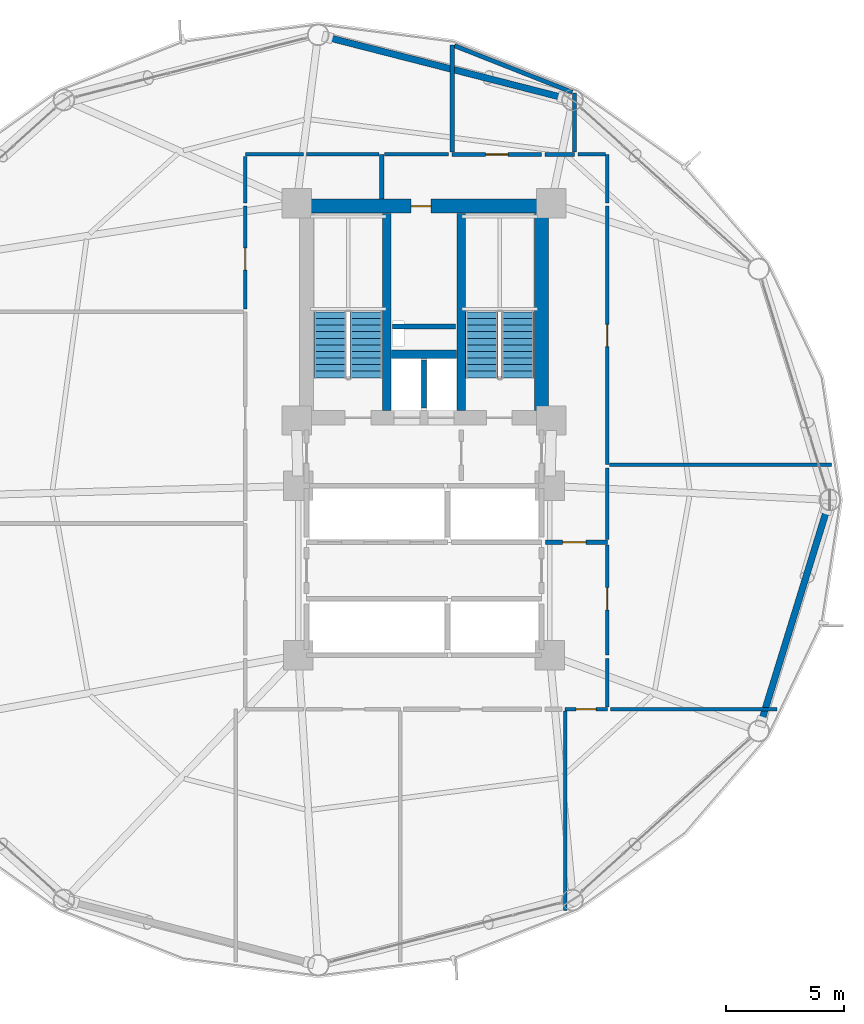
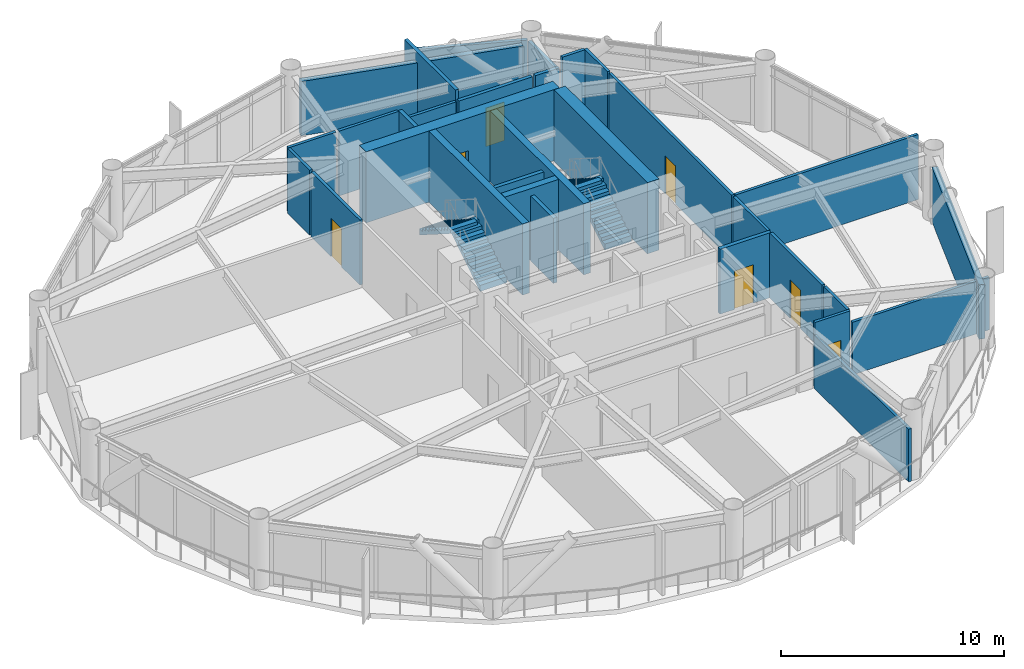
# One storey, part 21 of 25: 31 walls, 7 doors, 4 stair flights, 7 openings, 2 elements without a shape of their own.
"""IFC4 building model written with IfcOpenShell, lengths in metres."""

from ifc_helpers import new_model, si_unit, direction, frame, frame_2d, origin, place, context, subcontext, project, spatial, polyline, rectangle, outline, extrude, material, layer, layer_set, type_object, element, fill, aggregate, save


model = new_model("IFC4")

# Units and contexts
model_context = context("Model", 3, precision=1e-05, world=origin(), true_north=direction((0.0, 1.0)))
body_context = subcontext(model_context, "Body", "Model", "MODEL_VIEW")
ifc_project = project(units=[si_unit("LENGTHUNIT", "METRE"), si_unit("AREAUNIT", "SQUARE_METRE"), si_unit("VOLUMEUNIT", "CUBIC_METRE"), si_unit("PLANEANGLEUNIT", "RADIAN"), si_unit("MASSUNIT", "GRAM", prefix="KILO")], contexts=[model_context])

# Site, building, storey
site_placement = place(None, origin())
site = spatial("IfcSite", under=ifc_project, at=site_placement, CompositionType="ELEMENT")
building_placement = place(site_placement, origin())
building = spatial("IfcBuilding", under=site, at=building_placement, Name="Varnakorn Sky Granary", CompositionType="ELEMENT")
storey_placement = place(building_placement, frame((0.0, 0.0, 74.39990234375)))
storey = spatial("IfcBuildingStorey", under=building, at=storey_placement, Name="L18", CompositionType="ELEMENT", Elevation=74.39990234375)

# Walls
ifc_material_1 = material(Name="Concrete C50/60", Category="concrete")
ifc_layer_1 = layer(ifc_material_1, 0.35009765625, Name="Concrete C50/60")
ifc_layer_set_1 = layer_set([ifc_layer_1], Name="Concrete C50/60")
wall_type_1 = type_object("IfcWallType", Name="WT-CW-INT-350", PredefinedType="SHEAR", material=ifc_layer_set_1)
for number, where, z_axis, x_axis, name in (
    (1, (1.419921875, 3.81005859375, 0.0), (0.0, 0.0, 1.0), (0.0, 1.0, 0.0), "Stair ST-1 Core Wall L18"),
    (2, (4.580078125, 3.81005859375, 0.0), (0.0, 0.0, 1.0), (0.0, 1.0, 0.0), "Stair ST-2 Core Wall L18"),
):
    element("IfcWall", number, at=place(storey_placement, frame(where, z_axis=z_axis, x_axis=x_axis)), inside=storey, type_object=wall_type_1, Name=name, PredefinedType="SHEAR", context=body_context, shape_type="SweptSolid", body=[
        extrude(rectangle(XDim=8.3798828125, YDim=0.35009765625, at=frame_2d((4.18994140625, 0.0))), origin(), (0.0, 0.0, 1.0), 3.89208984375),
    ])
wall_1_placement = place(storey_placement, frame((1.610107421875, 6.199951171875, 0.0), z_axis=(0.0, 0.0, 1.0), x_axis=(1.0, 0.0, 0.0)))
element("IfcWall", 3, at=wall_1_placement, inside=storey, type_object=wall_type_1, Name="Core Lift Shaft Cross Wall L18", PredefinedType="SHEAR", context=body_context, shape_type="SweptSolid", body=[
    extrude(rectangle(XDim=2.77978515625, YDim=0.35009765625, at=frame_2d((1.389892578125, 0.0))), origin(), (0.0, 0.0, 1.0), 3.89208984375),
])

# Wall, opening, door
ifc_material_2 = material(Name="Concrete C60/75", Category="concrete")
ifc_layer_2 = layer(ifc_material_2, 0.60009765625, Name="Concrete C60/75")
ifc_layer_set_2 = layer_set([ifc_layer_2], Name="Concrete C60/75")
wall_type_2 = type_object("IfcWallType", Name="WT-CW-SHEAR-600", PredefinedType="SHEAR", material=ifc_layer_set_2)
wall_2_placement = place(storey_placement, frame((-2.0, 12.5, 0.0), z_axis=(0.0, 0.0, 1.0), x_axis=(1.0, 0.0, 0.0)))
wall_2 = element("IfcWall", 4, at=wall_2_placement, inside=storey, type_object=wall_type_2, Name="Core North Shear Wall L18", PredefinedType="SHEAR", context=body_context, shape_type="SweptSolid", body=[
    extrude(rectangle(XDim=10.0, YDim=0.60009765625, at=frame_2d((5.0, 0.0))), origin(), (0.0, 0.0, 1.0), 3.89208984375),
])
opening_1_placement = place(wall_2_placement, frame((4.449951171875, 0.0, 0.0)))
opening_1 = element("IfcOpeningElement", 5, at=opening_1_placement, cuts=wall_2, Name="Opening FD-60N", PredefinedType="OPENING", context=body_context, shape_type="SweptSolid", body=[
    extrude(rectangle(XDim=0.85009765625, YDim=2.10009765625, at=frame_2d((0.425048828125, 1.050048828125))), frame((0.0, 0.31005859375, 0.0), z_axis=(0.0, -1.0, 0.0), x_axis=(1.0, 0.0, 0.0)), (0.0, 0.0, 1.0), 0.6201171875),
])
ifc_material_3 = material(Name="Acoustic Timber Fire Leaf", Category="wood")
door_type_1 = type_object("IfcDoorType", Name="DR-FD60-850", OperationType="NOTDEFINED", PredefinedType="DOOR", material=ifc_material_3)
door_1_placement = place(opening_1_placement, origin())
door_1 = element("IfcDoor", 6, at=door_1_placement, inside=storey, type_object=door_type_1, Name="Core North Service Door L18", OperationType="SINGLE_SWING_RIGHT", OverallHeight=2.10009765625, OverallWidth=0.85009765625, PredefinedType="DOOR", context=body_context, shape_type="SweptSolid", body=[
    extrude(rectangle(XDim=0.85009765625, YDim=2.10009765625, at=frame_2d((0.425048828125, 1.050048828125))), frame((0.0, 0.02490234375, 0.0), z_axis=(0.0, -1.0, 0.0), x_axis=(1.0, 0.0, 0.0)), (0.0, 0.0, 1.0), 0.050048828125),
])
fill(opening_1, door_1)

# Walls
wall_3_placement = place(storey_placement, frame((8.0, 3.81005859375, 0.0), z_axis=(0.0, 0.0, 1.0), x_axis=(0.0, 1.0, 0.0)))
element("IfcWall", 7, at=wall_3_placement, inside=storey, type_object=wall_type_2, Name="Core East Shear Wall L18", PredefinedType="SHEAR", context=body_context, shape_type="SweptSolid", body=[
    extrude(rectangle(XDim=8.3798828125, YDim=0.60009765625, at=frame_2d((4.18994140625, 0.0))), origin(), (0.0, 0.0, 1.0), 3.89208984375),
])
ifc_material_4 = material(Name="Precast concrete C40/50", Category="concrete")
ifc_layer_3 = layer(ifc_material_4, 0.280029296875, Name="Precast concrete C40/50")
ifc_layer_set_3 = layer_set([ifc_layer_3], Name="Precast concrete C40/50")
wall_type_3 = type_object("IfcWallType", Name="WT-EW-CRN-280", PredefinedType="SOLIDWALL", material=ifc_layer_set_3)
wall_4_placement = place(storey_placement, frame((-1.100830078125, 19.678955078125, 0.0), z_axis=(0.0, 0.0, 1.0), x_axis=(0.968780019366, -0.24792191125, 0.0)))
element("IfcWall", 8, at=wall_4_placement, inside=storey, type_object=wall_type_3, Name="Agritech Insulated Precast Facade Wall L18-P03", PredefinedType="SOLIDWALL", context=body_context, shape_type="SweptSolid", body=[
    extrude(rectangle(XDim=10.337890625, YDim=0.280029296875, at=frame_2d((5.1689453125, 0.0))), origin(), (0.0, 0.0, 1.0), 2.97021484375),
])
wall_5_placement = place(storey_placement, frame((20.140380859375, -0.393798828125, 0.0), z_axis=(0.0, 0.0, 1.0), x_axis=(-0.294972891191, -0.955505621889, 0.0)))
element("IfcWall", 9, at=wall_5_placement, inside=storey, type_object=wall_type_3, Name="Agritech Insulated Precast Facade Wall L18-P12", PredefinedType="SOLIDWALL", context=body_context, shape_type="SweptSolid", body=[
    extrude(rectangle(XDim=9.4560546875, YDim=0.280029296875, at=frame_2d((4.72802734375, 0.0))), origin(), (0.0, 0.0, 1.0), 2.97021484375),
])

# Wall, opening, door
ifc_material_5 = material(Name="Autoclaved Aerated Concrete Blockwork", Category="masonry")
ifc_layer_4 = layer(ifc_material_5, 0.199951171875, Name="Autoclaved Aerated Concrete Blockwork")
ifc_layer_set_4 = layer_set([ifc_layer_4], Name="Autoclaved Aerated Concrete Blockwork")
wall_type_4 = type_object("IfcWallType", Name="WT-FIRE-200", PredefinedType="MOVABLE", material=ifc_layer_set_4)
wall_6_placement = place(storey_placement, frame((8.159912109375, -1.800048828125, 0.0), z_axis=(0.0, 0.0, 1.0), x_axis=(1.0, 0.0, 0.0)))
wall_6 = element("IfcWall", 10, at=wall_6_placement, inside=storey, type_object=wall_type_4, Name="Interior Partition Wall L18-021", PredefinedType="MOVABLE", context=body_context, shape_type="SweptSolid", body=[
    extrude(rectangle(XDim=2.64013671875, YDim=0.199951171875, at=frame_2d((1.320068359375, 0.0))), origin(), (0.0, 0.0, 1.0), 3.550048828125),
])
opening_2_placement = place(wall_6_placement, frame((0.739990234375, 0.0, 0.0)))
opening_2 = element("IfcOpeningElement", 11, at=opening_2_placement, cuts=wall_6, Name="Opening FD-60", PredefinedType="OPENING", context=body_context, shape_type="SweptSolid", body=[
    extrude(rectangle(XDim=1.0, YDim=2.10009765625, at=frame_2d((0.5, 1.050048828125))), frame((0.0, 0.10986328125, 0.0), z_axis=(0.0, -1.0, 0.0), x_axis=(1.0, 0.0, 0.0)), (0.0, 0.0, 1.0), 0.219970703125),
])
door_type_2 = type_object("IfcDoorType", Name="DR-FD60-1000", OperationType="NOTDEFINED", PredefinedType="DOOR", material=ifc_material_3)
door_2_placement = place(opening_2_placement, origin())
door_2 = element("IfcDoor", 12, at=door_2_placement, inside=storey, type_object=door_type_2, Name="Interior Door L18-021-1", OperationType="SINGLE_SWING_RIGHT", OverallHeight=2.10009765625, OverallWidth=1.0, PredefinedType="DOOR", context=body_context, shape_type="SweptSolid", body=[
    extrude(rectangle(XDim=1.0, YDim=2.10009765625, at=frame_2d((0.5, 1.050048828125))), frame((0.0, 0.02490234375, 0.0), z_axis=(0.0, -1.0, 0.0), x_axis=(1.0, 0.0, 0.0)), (0.0, 0.0, 1.0), 0.050048828125),
])
fill(opening_2, door_2)

# Wall
wall_7_placement = place(storey_placement, frame((1.199951171875, 14.699951171875, 0.0), z_axis=(0.0, 0.0, 1.0), x_axis=(0.0, -1.0, 0.0)))
element("IfcWall", 13, at=wall_7_placement, inside=storey, type_object=wall_type_4, Name="Interior Partition Wall L18-032", PredefinedType="MOVABLE", context=body_context, shape_type="SweptSolid", body=[
    extrude(rectangle(XDim=1.889892578125, YDim=0.199951171875, at=frame_2d((0.94482421875, 0.0))), origin(), (0.0, 0.0, 1.0), 3.550048828125),
])

# Wall, opening, door
ifc_material_6 = material(Name="Gypsum Plasterboard on Steel Stud", Category="steel")
ifc_layer_5 = layer(ifc_material_6, 0.14990234375, Name="Gypsum Plasterboard on Steel Stud")
ifc_layer_set_5 = layer_set([ifc_layer_5], Name="Gypsum Plasterboard on Steel Stud")
wall_type_5 = type_object("IfcWallType", Name="WT-PART-150", PredefinedType="PARTITIONING", material=ifc_layer_set_5)
wall_8_placement = place(storey_placement, frame((9.0, -8.89990234375, 0.0), z_axis=(0.0, 0.0, 1.0), x_axis=(1.0, 0.0, 0.0)))
wall_8 = element("IfcWall", 14, at=wall_8_placement, inside=storey, type_object=wall_type_5, Name="Interior Partition Wall L18-025", PredefinedType="PARTITIONING", context=body_context, shape_type="SweptSolid", body=[
    extrude(rectangle(XDim=1.800048828125, YDim=0.14990234375, at=frame_2d((0.89990234375, 0.0))), origin(), (0.0, 0.0, 1.0), 3.550048828125),
])
opening_3_placement = place(wall_8_placement, frame((0.47509765625, 0.0, 0.0)))
opening_3 = element("IfcOpeningElement", 15, at=opening_3_placement, cuts=wall_8, Name="Opening ID-85", PredefinedType="OPENING", context=body_context, shape_type="SweptSolid", body=[
    extrude(rectangle(XDim=0.85009765625, YDim=2.10009765625, at=frame_2d((0.425048828125, 1.050048828125))), frame((0.0, 0.0849609375, 0.0), z_axis=(0.0, -1.0, 0.0), x_axis=(1.0, 0.0, 0.0)), (0.0, 0.0, 1.0), 0.169921875),
])
ifc_material_7 = material(Name="Solid-Core Teak Veneer Leaf", Category="timber")
door_type_3 = type_object("IfcDoorType", Name="DR-INT-850", OperationType="NOTDEFINED", PredefinedType="DOOR", material=ifc_material_7)
door_3_placement = place(opening_3_placement, origin())
door_3 = element("IfcDoor", 16, at=door_3_placement, inside=storey, type_object=door_type_3, Name="Interior Door L18-025-1", OperationType="SINGLE_SWING_RIGHT", OverallHeight=2.10009765625, OverallWidth=0.85009765625, PredefinedType="DOOR", context=body_context, shape_type="SweptSolid", body=[
    extrude(rectangle(XDim=0.85009765625, YDim=2.10009765625, at=frame_2d((0.425048828125, 1.050048828125))), frame((0.0, 0.02490234375, 0.0), z_axis=(0.0, -1.0, 0.0), x_axis=(1.0, 0.0, 0.0)), (0.0, 0.0, 1.0), 0.050048828125),
])
fill(opening_3, door_3)

wall_9_placement = place(storey_placement, frame((-4.60009765625, 12.5, 0.0), z_axis=(0.0, 0.0, 1.0), x_axis=(0.0, -1.0, 0.0)))
wall_9 = element("IfcWall", 17, at=wall_9_placement, inside=storey, type_object=wall_type_5, Name="Interior Partition Wall L18-028", PredefinedType="PARTITIONING", context=body_context, shape_type="SweptSolid", body=[
    extrude(rectangle(XDim=4.364990234375, YDim=0.14990234375, at=frame_2d((2.1826171875, 0.0))), origin(), (0.0, 0.0, 1.0), 3.550048828125),
])
opening_4_placement = place(wall_9_placement, frame((1.77490234375, 0.0, 0.0)))
opening_4 = element("IfcOpeningElement", 18, at=opening_4_placement, cuts=wall_9, Name="Opening ID-95", PredefinedType="OPENING", context=body_context, shape_type="SweptSolid", body=[
    extrude(rectangle(XDim=0.949951171875, YDim=2.10009765625, at=frame_2d((0.47509765625, 1.050048828125))), frame((0.0, 0.0849609375, 0.0), z_axis=(0.0, -1.0, 0.0), x_axis=(1.0, 0.0, 0.0)), (0.0, 0.0, 1.0), 0.169921875),
])
door_type_4 = type_object("IfcDoorType", Name="DR-INT-950", OperationType="NOTDEFINED", PredefinedType="DOOR", material=ifc_material_7)
door_4_placement = place(opening_4_placement, origin())
door_4 = element("IfcDoor", 19, at=door_4_placement, inside=storey, type_object=door_type_4, Name="Interior Door L18-028-1", OperationType="SINGLE_SWING_LEFT", OverallHeight=2.10009765625, OverallWidth=0.949951171875, PredefinedType="DOOR", context=body_context, shape_type="SweptSolid", body=[
    extrude(rectangle(XDim=0.949951171875, YDim=2.10009765625, at=frame_2d((0.47509765625, 1.050048828125))), frame((0.0, 0.02490234375, 0.0), z_axis=(0.0, -1.0, 0.0), x_axis=(1.0, 0.0, 0.0)), (0.0, 0.0, 1.0), 0.050048828125),
])
fill(opening_4, door_4)

wall_10_placement = place(storey_placement, frame((10.800048828125, -6.60009765625, 0.0), z_axis=(0.0, 0.0, 1.0), x_axis=(0.0, 1.0, 0.0)))
wall_10 = element("IfcWall", 20, at=wall_10_placement, inside=storey, type_object=wall_type_5, Name="Interior Partition Wall L18-029", PredefinedType="PARTITIONING", context=body_context, shape_type="SweptSolid", body=[
    extrude(rectangle(XDim=4.690185546875, YDim=0.14990234375, at=frame_2d((2.34521484375, 0.0))), origin(), (0.0, 0.0, 1.0), 3.550048828125),
])
opening_5_placement = place(wall_10_placement, frame((1.925048828125, 0.0, 0.0)))
opening_5 = element("IfcOpeningElement", 21, at=opening_5_placement, cuts=wall_10, Name="Opening ID-95", PredefinedType="OPENING", context=body_context, shape_type="SweptSolid", body=[
    extrude(rectangle(XDim=0.949951171875, YDim=2.10009765625, at=frame_2d((0.47509765625, 1.050048828125))), frame((0.0, 0.0849609375, 0.0), z_axis=(0.0, -1.0, 0.0), x_axis=(1.0, 0.0, 0.0)), (0.0, 0.0, 1.0), 0.169921875),
])
door_5_placement = place(opening_5_placement, origin())
door_5 = element("IfcDoor", 22, at=door_5_placement, inside=storey, type_object=door_type_4, Name="Interior Door L18-029-1", OperationType="SINGLE_SWING_RIGHT", OverallHeight=2.10009765625, OverallWidth=0.949951171875, PredefinedType="DOOR", context=body_context, shape_type="SweptSolid", body=[
    extrude(rectangle(XDim=0.949951171875, YDim=2.10009765625, at=frame_2d((0.47509765625, 1.050048828125))), frame((0.0, 0.02490234375, 0.0), z_axis=(0.0, -1.0, 0.0), x_axis=(1.0, 0.0, 0.0)), (0.0, 0.0, 1.0), 0.050048828125),
])
fill(opening_5, door_5)

wall_11_placement = place(storey_placement, frame((10.800048828125, 1.5, 0.0), z_axis=(0.0, 0.0, 1.0), x_axis=(0.0, 1.0, 0.0)))
wall_11 = element("IfcWall", 23, at=wall_11_placement, inside=storey, type_object=wall_type_5, Name="Interior Partition Wall L18-030", PredefinedType="PARTITIONING", context=body_context, shape_type="SweptSolid", body=[
    extrude(rectangle(XDim=11.0, YDim=0.14990234375, at=frame_2d((5.5, 0.0))), origin(), (0.0, 0.0, 1.0), 3.550048828125),
])
opening_6_placement = place(wall_11_placement, frame((5.02490234375, 0.0, 0.0)))
opening_6 = element("IfcOpeningElement", 24, at=opening_6_placement, cuts=wall_11, Name="Opening ID-95", PredefinedType="OPENING", context=body_context, shape_type="SweptSolid", body=[
    extrude(rectangle(XDim=0.949951171875, YDim=2.10009765625, at=frame_2d((0.47509765625, 1.050048828125))), frame((0.0, 0.0849609375, 0.0), z_axis=(0.0, -1.0, 0.0), x_axis=(1.0, 0.0, 0.0)), (0.0, 0.0, 1.0), 0.169921875),
])
door_6_placement = place(opening_6_placement, origin())
door_6 = element("IfcDoor", 25, at=door_6_placement, inside=storey, type_object=door_type_4, Name="Interior Door L18-030-1", OperationType="SINGLE_SWING_LEFT", OverallHeight=2.10009765625, OverallWidth=0.949951171875, PredefinedType="DOOR", context=body_context, shape_type="SweptSolid", body=[
    extrude(rectangle(XDim=0.949951171875, YDim=2.10009765625, at=frame_2d((0.47509765625, 1.050048828125))), frame((0.0, 0.02490234375, 0.0), z_axis=(0.0, -1.0, 0.0), x_axis=(1.0, 0.0, 0.0)), (0.0, 0.0, 1.0), 0.050048828125),
])
fill(opening_6, door_6)

# Walls
wall_12_placement = place(storey_placement, frame((9.0, -8.985107421875, 0.0), z_axis=(0.0, 0.0, 1.0), x_axis=(0.0, -1.0, 0.0)))
element("IfcWall", 26, at=wall_12_placement, inside=storey, type_object=wall_type_5, Name="Interior Partition Wall L18-038", PredefinedType="PARTITIONING", context=body_context, shape_type="SweptSolid", body=[
    extrude(rectangle(XDim=8.48193359375, YDim=0.14990234375, at=frame_2d((4.240966796875, 0.0))), origin(), (0.0, 0.0, 1.0), 2.882080078125),
])
wall_13_placement = place(storey_placement, frame((10.93505859375, -8.89990234375, 0.0), z_axis=(0.0, 0.0, 1.0), x_axis=(1.0, 0.0, 0.0)))
element("IfcWall", 27, at=wall_13_placement, inside=storey, type_object=wall_type_5, Name="Interior Partition Wall L18-039", PredefinedType="PARTITIONING", context=body_context, shape_type="SweptSolid", body=[
    extrude(rectangle(XDim=7.075927734375, YDim=0.14990234375, at=frame_2d((3.5380859375, 0.0))), origin(), (0.0, 0.0, 1.0), 2.882080078125),
])
wall_14_placement = place(storey_placement, frame((1.090087890625, 14.699951171875, 0.0), z_axis=(0.0, 0.0, 1.0), x_axis=(-1.0, 0.0, 0.0)))
element("IfcWall", 28, at=wall_14_placement, inside=storey, type_object=wall_type_5, Name="Interior Partition Wall L18-043", PredefinedType="PARTITIONING", context=body_context, shape_type="SweptSolid", body=[
    extrude(rectangle(XDim=3.090087890625, YDim=0.14990234375, at=frame_2d((1.544921875, 0.0))), origin(), (0.0, 0.0, 1.0), 3.550048828125),
])
wall_15_placement = place(storey_placement, frame((-2.135009765625, 14.699951171875, 0.0), z_axis=(0.0, 0.0, 1.0), x_axis=(-1.0, 0.0, 0.0)))
element("IfcWall", 29, at=wall_15_placement, inside=storey, type_object=wall_type_5, Name="Interior Partition Wall L18-044", PredefinedType="PARTITIONING", context=body_context, shape_type="SweptSolid", body=[
    extrude(rectangle(XDim=2.465087890625, YDim=0.14990234375, at=frame_2d((1.232421875, 0.0))), origin(), (0.0, 0.0, 1.0), 3.550048828125),
])
wall_16_placement = place(storey_placement, frame((-4.60009765625, 14.614990234375, 0.0), z_axis=(0.0, 0.0, 1.0), x_axis=(0.0, -1.0, 0.0)))
element("IfcWall", 30, at=wall_16_placement, inside=storey, type_object=wall_type_5, Name="Interior Partition Wall L18-045", PredefinedType="PARTITIONING", context=body_context, shape_type="SweptSolid", body=[
    extrude(rectangle(XDim=1.97998046875, YDim=0.14990234375, at=frame_2d((0.989990234375, 0.0))), origin(), (0.0, 0.0, 1.0), 3.550048828125),
])
wall_17_placement = place(storey_placement, frame((4.050048828125, 14.699951171875, 0.0), z_axis=(0.0, 0.0, 1.0), x_axis=(-1.0, 0.0, 0.0)))
element("IfcWall", 31, at=wall_17_placement, inside=storey, type_object=wall_type_5, Name="Interior Partition Wall L18-046", PredefinedType="PARTITIONING", context=body_context, shape_type="SweptSolid", body=[
    extrude(rectangle(XDim=2.739990234375, YDim=0.14990234375, at=frame_2d((1.3701171875, 0.0))), origin(), (0.0, 0.0, 1.0), 3.031982421875),
])
wall_18_placement = place(storey_placement, frame((10.800048828125, -8.81494140625, 0.0), z_axis=(0.0, 0.0, 1.0), x_axis=(0.0, 1.0, 0.0)))
element("IfcWall", 32, at=wall_18_placement, inside=storey, type_object=wall_type_5, Name="Interior Partition Wall L18-048", PredefinedType="PARTITIONING", context=body_context, shape_type="SweptSolid", body=[
    extrude(rectangle(XDim=2.079833984375, YDim=0.14990234375, at=frame_2d((1.0400390625, 0.0))), origin(), (0.0, 0.0, 1.0), 3.550048828125),
])
wall_19_placement = place(storey_placement, frame((10.800048828125, -1.68994140625, 0.0), z_axis=(0.0, 0.0, 1.0), x_axis=(0.0, 1.0, 0.0)))
element("IfcWall", 33, at=wall_19_placement, inside=storey, type_object=wall_type_5, Name="Interior Partition Wall L18-049", PredefinedType="PARTITIONING", context=body_context, shape_type="SweptSolid", body=[
    extrude(rectangle(XDim=3.054931640625, YDim=0.14990234375, at=frame_2d((1.52734375, 0.0))), origin(), (0.0, 0.0, 1.0), 3.550048828125),
])
wall_20_placement = place(storey_placement, frame((10.885009765625, 1.5, 0.0), z_axis=(0.0, 0.0, 1.0), x_axis=(1.0, 0.0, 0.0)))
element("IfcWall", 34, at=wall_20_placement, inside=storey, type_object=wall_type_5, Name="Interior Partition Wall L18-050", PredefinedType="PARTITIONING", context=body_context, shape_type="SweptSolid", body=[
    extrude(rectangle(XDim=9.45703125, YDim=0.14990234375, at=frame_2d((4.728515625, 0.0))), origin(), (0.0, 0.0, 1.0), 3.550048828125),
])
wall_21_placement = place(storey_placement, frame((10.800048828125, 12.635009765625, 0.0), z_axis=(0.0, 0.0, 1.0), x_axis=(0.0, 1.0, 0.0)))
element("IfcWall", 35, at=wall_21_placement, inside=storey, type_object=wall_type_5, Name="Interior Partition Wall L18-051", PredefinedType="PARTITIONING", context=body_context, shape_type="SweptSolid", body=[
    extrude(rectangle(XDim=2.06494140625, YDim=0.14990234375, at=frame_2d((1.032470703125, 0.0))), origin(), (0.0, 0.0, 1.0), 3.550048828125),
])
wall_22_placement = place(storey_placement, frame((10.715087890625, 14.699951171875, 0.0), z_axis=(0.0, 0.0, 1.0), x_axis=(-1.0, 0.0, 0.0)))
element("IfcWall", 36, at=wall_22_placement, inside=storey, type_object=wall_type_5, Name="Interior Partition Wall L18-052", PredefinedType="PARTITIONING", context=body_context, shape_type="SweptSolid", body=[
    extrude(rectangle(XDim=1.1650390625, YDim=0.14990234375, at=frame_2d((0.58251953125, 0.0))), origin(), (0.0, 0.0, 1.0), 3.550048828125),
])

# Wall, opening, door
ifc_material_8 = material(Name="Moisture-Resistant Gypsum on Stud", Category="gypsum")
ifc_layer_6 = layer(ifc_material_8, 0.179931640625, Name="Moisture-Resistant Gypsum on Stud")
ifc_layer_set_6 = layer_set([ifc_layer_6], Name="Moisture-Resistant Gypsum on Stud")
wall_type_6 = type_object("IfcWallType", Name="WT-PLUMB-180", PredefinedType="PLUMBINGWALL", material=ifc_layer_set_6)
wall_23_placement = place(storey_placement, frame((8.0, 14.699951171875, 0.0), z_axis=(0.0, 0.0, 1.0), x_axis=(-1.0, 0.0, 0.0)))
wall_23 = element("IfcWall", 37, at=wall_23_placement, inside=storey, type_object=wall_type_6, Name="Interior Partition Wall L18-022", PredefinedType="PLUMBINGWALL", context=body_context, shape_type="SweptSolid", body=[
    extrude(rectangle(XDim=3.800048828125, YDim=0.179931640625, at=frame_2d((1.89990234375, 0.0))), origin(), (0.0, 0.0, 1.0), 3.031982421875),
])
opening_7_placement = place(wall_23_placement, frame((1.425048828125, 0.0, 0.0)))
opening_7 = element("IfcOpeningElement", 38, at=opening_7_placement, cuts=wall_23, Name="Opening ID-95", PredefinedType="OPENING", context=body_context, shape_type="SweptSolid", body=[
    extrude(rectangle(XDim=0.949951171875, YDim=2.10009765625, at=frame_2d((0.47509765625, 1.050048828125))), frame((0.0, 0.10009765625, 0.0), z_axis=(0.0, -1.0, 0.0), x_axis=(1.0, 0.0, 0.0)), (0.0, 0.0, 1.0), 0.199951171875),
])
door_7_placement = place(opening_7_placement, origin())
door_7 = element("IfcDoor", 39, at=door_7_placement, inside=storey, type_object=door_type_4, Name="Interior Door L18-022-1", OperationType="SINGLE_SWING_LEFT", OverallHeight=2.10009765625, OverallWidth=0.949951171875, PredefinedType="DOOR", context=body_context, shape_type="SweptSolid", body=[
    extrude(rectangle(XDim=0.949951171875, YDim=2.10009765625, at=frame_2d((0.47509765625, 1.050048828125))), frame((0.0, 0.02490234375, 0.0), z_axis=(0.0, -1.0, 0.0), x_axis=(1.0, 0.0, 0.0)), (0.0, 0.0, 1.0), 0.050048828125),
])
fill(opening_7, door_7)

# Walls
wall_24_placement = place(storey_placement, frame((9.39990234375, 14.699951171875, 0.0), z_axis=(0.0, 0.0, 1.0), x_axis=(-1.0, 0.0, 0.0)))
element("IfcWall", 40, at=wall_24_placement, inside=storey, type_object=wall_type_6, Name="Interior Partition Wall L18-033", PredefinedType="PLUMBINGWALL", context=body_context, shape_type="SweptSolid", body=[
    extrude(rectangle(XDim=1.25, YDim=0.179931640625, at=frame_2d((0.625, 0.0))), origin(), (0.0, 0.0, 1.0), 3.031982421875),
])
wall_25_placement = place(storey_placement, frame((4.199951171875, 19.363037109375, 0.0), z_axis=(0.0, 0.0, 1.0), x_axis=(0.0, -1.0, 0.0)))
element("IfcWall", 41, at=wall_25_placement, inside=storey, type_object=wall_type_6, Name="Interior Partition Wall L18-047", PredefinedType="PLUMBINGWALL", context=body_context, shape_type="SweptSolid", body=[
    extrude(rectangle(XDim=4.56298828125, YDim=0.179931640625, at=frame_2d((2.281494140625, 0.0))), origin(), (0.0, 0.0, 1.0), 3.550048828125),
])
wall_26_placement = place(storey_placement, frame((9.39990234375, 14.800048828125, 0.0), z_axis=(0.0, 0.0, 1.0), x_axis=(0.0, 1.0, 0.0)))
element("IfcWall", 42, at=wall_26_placement, inside=storey, type_object=wall_type_6, Name="Interior Partition Wall L18-053", PredefinedType="PLUMBINGWALL", context=body_context, shape_type="SweptSolid", body=[
    extrude(rectangle(XDim=2.509033203125, YDim=0.179931640625, at=frame_2d((1.25439453125, 0.0))), origin(), (0.0, 0.0, 1.0), 2.882080078125),
])
wall_27_placement = place(storey_placement, frame((9.306884765625, 17.345947265625, 0.0), z_axis=(0.0, 0.0, 1.0), x_axis=(-0.930079887974, 0.367357321944, 0.0)))
element("IfcWall", 43, at=wall_27_placement, inside=storey, type_object=wall_type_6, Name="Interior Partition Wall L18-054", PredefinedType="PLUMBINGWALL", context=body_context, shape_type="SweptSolid", body=[
    extrude(rectangle(XDim=5.389892578125, YDim=0.179931640625, at=frame_2d((2.69482421875, 0.0))), origin(), (0.0, 0.0, 1.0), 2.982177734375),
])
ifc_layer_7 = layer(ifc_material_5, 0.199951171875, Name="Autoclaved Aerated Concrete Blockwork")
ifc_layer_set_7 = layer_set([ifc_layer_7], Name="Autoclaved Aerated Concrete Blockwork")
wall_type_7 = type_object("IfcWallType", Name="WT-SHAFT-200", PredefinedType="SOLIDWALL", material=ifc_layer_set_7)
wall_28_placement = place(storey_placement, frame((3.0, 3.919921875, 0.0), z_axis=(0.0, 0.0, 1.0), x_axis=(0.0, 1.0, 0.0)))
element("IfcWall", 44, at=wall_28_placement, inside=storey, type_object=wall_type_7, Name="Interior Partition Wall L18-001", PredefinedType="SOLIDWALL", context=body_context, shape_type="SweptSolid", body=[
    extrude(rectangle(XDim=2.030029296875, YDim=0.199951171875, at=frame_2d((1.01513671875, 0.0))), origin(), (0.0, 0.0, 1.0), 3.550048828125),
])
wall_29_placement = place(storey_placement, frame((1.64990234375, 7.3798828125, 0.0), z_axis=(0.0, 0.0, 1.0), x_axis=(1.0, 0.0, 0.0)))
element("IfcWall", 45, at=wall_29_placement, inside=storey, type_object=wall_type_7, Name="Interior Partition Wall L18-002", PredefinedType="SOLIDWALL", context=body_context, shape_type="SweptSolid", body=[
    extrude(rectangle(XDim=2.7001953125, YDim=0.199951171875, at=frame_2d((1.35009765625, 0.0))), origin(), (0.0, 0.0, 1.0), 3.550048828125),
])

# Stair, stair flights
ifc_material_9 = material(Name="Concrete C40/50", Category="concrete")
stair_type = type_object("IfcStairType", Name="ST-MAIN-ASSEMBLY", PredefinedType="HALF_TURN_STAIR", material=ifc_material_9)
stair_1_placement = place(storey_placement, origin())
stair_1 = element("IfcStair", 46, at=stair_1_placement, inside=storey, type_object=stair_type, Name="L18 Protected Exit Stair ST-1", PredefinedType="HALF_TURN_STAIR")
stair_flight_type = type_object("IfcStairFlightType", Name="ST-MAIN-FLIGHT", PredefinedType="STRAIGHT", material=ifc_material_9)
stair_flight_1_placement = place(storey_placement, frame((0.550048828125, 5.199951171875, 0.0), z_axis=(0.0, 0.0, 1.0), x_axis=(0.0, 1.0, 0.0)))
stair_flight_1 = element("IfcStairFlight", 47, at=stair_flight_1_placement, type_object=stair_flight_type, Name="ST-1 flight 1", NumberOfRisers=11, NumberOfTreads=10, PredefinedType="STRAIGHT", RiserHeight=0.177272727, TreadLength=0.28, context=body_context, shape_type="SweptSolid", body=[
    extrude(outline(polyline([(0.0, -0.14990234375), (0.0, 0.0), (0.0, 0.17724609375), (0.280029296875, 0.17724609375), (0.280029296875, 0.3544921875), (0.56005859375, 0.3544921875), (0.56005859375, 0.53173828125), (0.840087890625, 0.53173828125), (0.840087890625, 0.708984375), (1.1201171875, 0.708984375), (1.1201171875, 0.886474609375), (1.39990234375, 0.886474609375), (1.39990234375, 1.063720703125), (1.679931640625, 1.063720703125), (1.679931640625, 1.240966796875), (1.9599609375, 1.240966796875), (1.9599609375, 1.418212890625), (2.239990234375, 1.418212890625), (2.239990234375, 1.595458984375), (2.52001953125, 1.595458984375), (2.52001953125, 1.772705078125), (2.800048828125, 1.772705078125), (2.800048828125, 1.949951171875), (2.800048828125, 1.59521484375), (0.050048828125, -0.14990234375), (0.0, -0.14990234375)])), frame((0.0, 0.68994140625, 0.0), z_axis=(0.0, -1.0, 0.0), x_axis=(1.0, 0.0, 0.0)), (0.0, 0.0, 1.0), 1.3798828125),
])
stair_flight_2_placement = place(storey_placement, frame((-0.97998046875, 8.0, 1.9501953125), z_axis=(0.0, 0.0, 1.0), x_axis=(0.0, -1.0, 0.0)))
stair_flight_2 = element("IfcStairFlight", 48, at=stair_flight_2_placement, type_object=stair_flight_type, Name="ST-1 flight 2", NumberOfRisers=11, NumberOfTreads=10, PredefinedType="STRAIGHT", RiserHeight=0.177272727, TreadLength=0.28, context=body_context, shape_type="SweptSolid", body=[
    extrude(outline(polyline([(0.0, -0.14990234375), (0.0, 0.0), (0.0, 0.17724609375), (0.280029296875, 0.17724609375), (0.280029296875, 0.3544921875), (0.56005859375, 0.3544921875), (0.56005859375, 0.53173828125), (0.840087890625, 0.53173828125), (0.840087890625, 0.708984375), (1.1201171875, 0.708984375), (1.1201171875, 0.886474609375), (1.39990234375, 0.886474609375), (1.39990234375, 1.063720703125), (1.679931640625, 1.063720703125), (1.679931640625, 1.240966796875), (1.9599609375, 1.240966796875), (1.9599609375, 1.418212890625), (2.239990234375, 1.418212890625), (2.239990234375, 1.595458984375), (2.52001953125, 1.595458984375), (2.52001953125, 1.772705078125), (2.800048828125, 1.772705078125), (2.800048828125, 1.949951171875), (2.800048828125, 1.59521484375), (0.050048828125, -0.14990234375), (0.0, -0.14990234375)])), frame((0.0, 0.68994140625, 0.0), z_axis=(0.0, -1.0, 0.0), x_axis=(1.0, 0.0, 0.0)), (0.0, 0.0, 1.0), 1.3798828125),
])
aggregate(stair_1, [stair_flight_1, stair_flight_2])

stair_2_placement = place(storey_placement, origin())
stair_2 = element("IfcStair", 49, at=stair_2_placement, inside=storey, type_object=stair_type, Name="L18 Protected Exit Stair ST-2", PredefinedType="HALF_TURN_STAIR")
stair_flight_3_placement = place(storey_placement, frame((6.989990234375, 5.199951171875, 0.0), z_axis=(0.0, 0.0, 1.0), x_axis=(0.0, 1.0, 0.0)))
stair_flight_3 = element("IfcStairFlight", 50, at=stair_flight_3_placement, type_object=stair_flight_type, Name="ST-2 flight 1", NumberOfRisers=11, NumberOfTreads=10, PredefinedType="STRAIGHT", RiserHeight=0.177272727, TreadLength=0.28, context=body_context, shape_type="SweptSolid", body=[
    extrude(outline(polyline([(0.0, -0.14990234375), (0.0, 0.0), (0.0, 0.17724609375), (0.280029296875, 0.17724609375), (0.280029296875, 0.3544921875), (0.56005859375, 0.3544921875), (0.56005859375, 0.53173828125), (0.840087890625, 0.53173828125), (0.840087890625, 0.708984375), (1.1201171875, 0.708984375), (1.1201171875, 0.886474609375), (1.39990234375, 0.886474609375), (1.39990234375, 1.063720703125), (1.679931640625, 1.063720703125), (1.679931640625, 1.240966796875), (1.9599609375, 1.240966796875), (1.9599609375, 1.418212890625), (2.239990234375, 1.418212890625), (2.239990234375, 1.595458984375), (2.52001953125, 1.595458984375), (2.52001953125, 1.772705078125), (2.800048828125, 1.772705078125), (2.800048828125, 1.949951171875), (2.800048828125, 1.59521484375), (0.050048828125, -0.14990234375), (0.0, -0.14990234375)])), frame((0.0, 0.68994140625, 0.0), z_axis=(0.0, -1.0, 0.0), x_axis=(1.0, 0.0, 0.0)), (0.0, 0.0, 1.0), 1.3798828125),
])
stair_flight_4_placement = place(storey_placement, frame((5.4599609375, 8.0, 1.9501953125), z_axis=(0.0, 0.0, 1.0), x_axis=(0.0, -1.0, 0.0)))
stair_flight_4 = element("IfcStairFlight", 51, at=stair_flight_4_placement, type_object=stair_flight_type, Name="ST-2 flight 2", NumberOfRisers=11, NumberOfTreads=10, PredefinedType="STRAIGHT", RiserHeight=0.177272727, TreadLength=0.28, context=body_context, shape_type="SweptSolid", body=[
    extrude(outline(polyline([(0.0, -0.14990234375), (0.0, 0.0), (0.0, 0.17724609375), (0.280029296875, 0.17724609375), (0.280029296875, 0.3544921875), (0.56005859375, 0.3544921875), (0.56005859375, 0.53173828125), (0.840087890625, 0.53173828125), (0.840087890625, 0.708984375), (1.1201171875, 0.708984375), (1.1201171875, 0.886474609375), (1.39990234375, 0.886474609375), (1.39990234375, 1.063720703125), (1.679931640625, 1.063720703125), (1.679931640625, 1.240966796875), (1.9599609375, 1.240966796875), (1.9599609375, 1.418212890625), (2.239990234375, 1.418212890625), (2.239990234375, 1.595458984375), (2.52001953125, 1.595458984375), (2.52001953125, 1.772705078125), (2.800048828125, 1.772705078125), (2.800048828125, 1.949951171875), (2.800048828125, 1.59521484375), (0.050048828125, -0.14990234375), (0.0, -0.14990234375)])), frame((0.0, 0.68994140625, 0.0), z_axis=(0.0, -1.0, 0.0), x_axis=(1.0, 0.0, 0.0)), (0.0, 0.0, 1.0), 1.3798828125),
])
aggregate(stair_2, [stair_flight_3, stair_flight_4])

save(model, "model.ifc")
